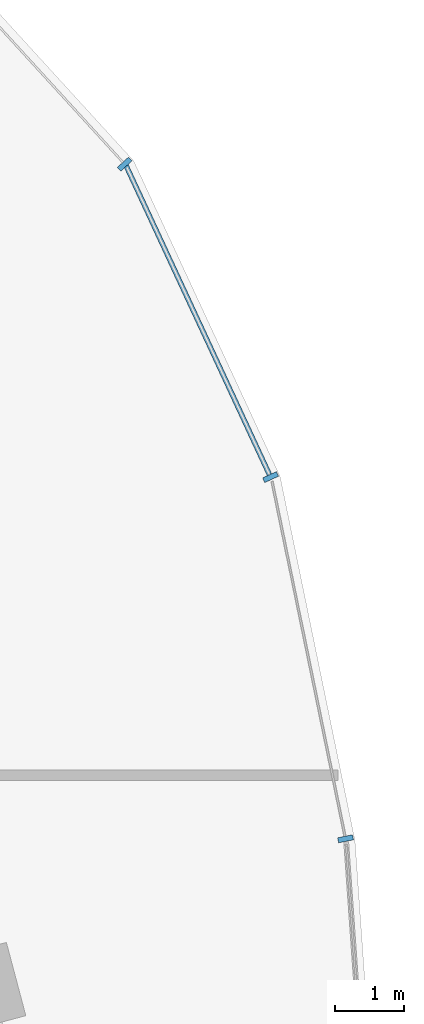
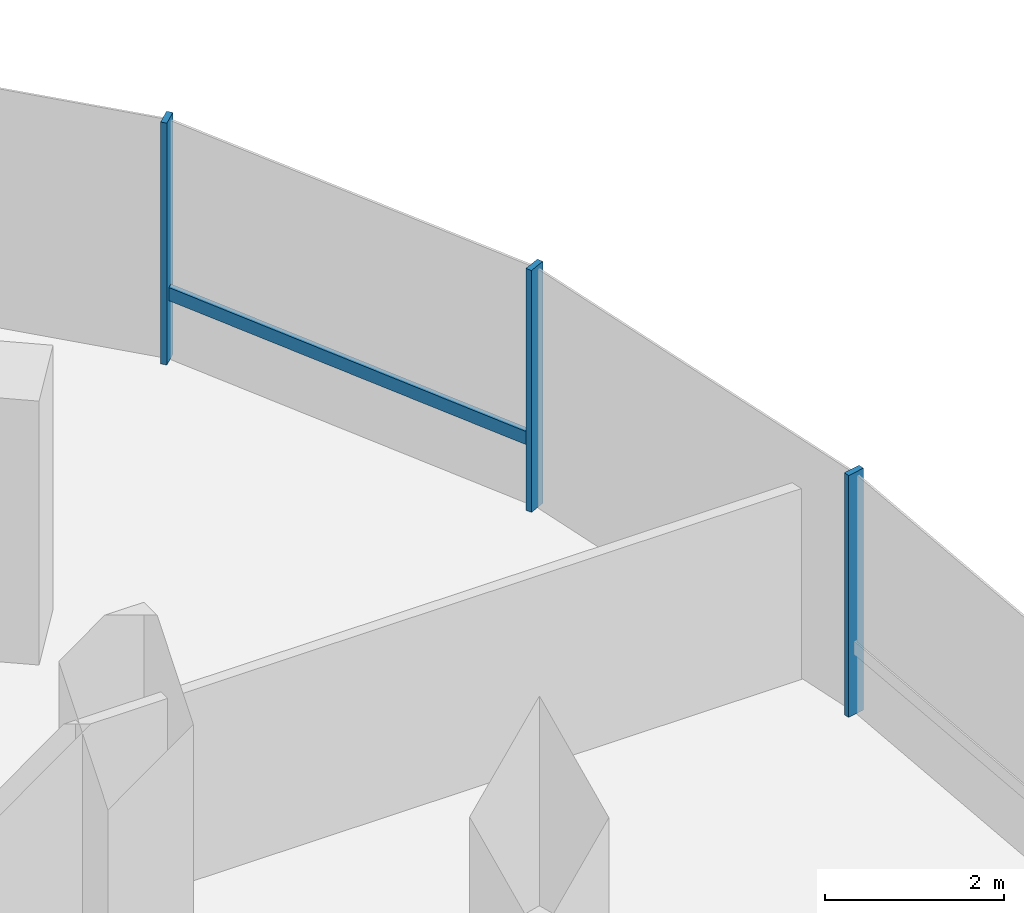
# One storey, part 8 of 21: 4 members, 1 element without a shape of its own.
"""IFC4 building model written with IfcOpenShell, lengths in metres."""

from ifc_helpers import new_model, si_unit, direction, frame, origin, origin_2d, place, context, subcontext, project, spatial, rectangle, extrude, material, material_profile, profile_set, type_object, element, aggregate, save


model = new_model("IFC4")

# Units and contexts
model_context = context("Model", 3, precision=1e-05, world=origin(), true_north=direction((0.0, 1.0)))
body_context = subcontext(model_context, "Body", "Model", "MODEL_VIEW")
ifc_project = project(units=[si_unit("LENGTHUNIT", "METRE"), si_unit("AREAUNIT", "SQUARE_METRE"), si_unit("VOLUMEUNIT", "CUBIC_METRE"), si_unit("PLANEANGLEUNIT", "RADIAN"), si_unit("MASSUNIT", "GRAM", prefix="KILO"), si_unit("THERMODYNAMICTEMPERATUREUNIT", "KELVIN"), si_unit("POWERUNIT", "WATT")], contexts=[model_context])

# Site, building, storey
site_placement = place(None, origin())
site = spatial("IfcSite", under=ifc_project, at=site_placement, CompositionType="ELEMENT")
building_placement = place(site_placement, origin())
building = spatial("IfcBuilding", under=site, at=building_placement, Name="Cundina Bronze Exchange", CompositionType="ELEMENT")
storey_placement = place(building_placement, frame((0.0, 0.0, 107.0)))
storey = spatial("IfcBuildingStorey", under=building, at=storey_placement, Name="L27", CompositionType="ELEMENT", Elevation=107.0)

# Curtain wall, members
ifc_material = material(Name="Anodised Bronze Aluminium 6063-T6", Category="aluminium")
curtain_wall_type = type_object("IfcCurtainWallType", Name="CWS-TRD-MID", PredefinedType="NOTDEFINED", material=ifc_material)
curtain_wall_placement = place(storey_placement, origin())
curtain_wall = element("IfcCurtainWall", 1, at=curtain_wall_placement, inside=storey, type_object=curtain_wall_type, Name="L27 CW-03 Curtain Wall Run CWR-L27-E1", PredefinedType="NOTDEFINED")
ifc_material_profile_1 = material_profile(ifc_material, rectangle(XDim=0.074951171875, YDim=0.219970703125, at=origin_2d()), Name="AL75X220", Category="aluminium")
ifc_profile_set_1 = profile_set([ifc_material_profile_1], Name="Anodised Bronze Aluminium 6063-T6")
member_type_1 = type_object("IfcMemberType", Name="CWM-MUL-220", PredefinedType="MULLION", material=ifc_profile_set_1)
member_1_placement = place(storey_placement, frame((50.717041015625, 8.67822265625, 0.0), z_axis=(0.0, 0.0, 1.0), x_axis=(-0.201419845156, 0.979505000486, 0.0)))
member_1 = element("IfcMember", 2, at=member_1_placement, type_object=member_type_1, Name="CW-03 Mullion 2", PredefinedType="MULLION", context=body_context, shape_type="SweptSolid", body=[
    extrude(rectangle(XDim=0.074951171875, YDim=0.219970703125, at=origin_2d()), origin(), (0.0, 0.0, 1.0), 3.300048828125),
])
member_2_placement = place(storey_placement, frame((49.6279296875, 13.931884765625, 0.0), z_axis=(0.0, 0.0, 1.0), x_axis=(-0.42087749791, 0.907117485088, 0.0)))
member_2 = element("IfcMember", 3, at=member_2_placement, type_object=member_type_1, Name="CW-03 Mullion 3", PredefinedType="MULLION", context=body_context, shape_type="SweptSolid", body=[
    extrude(rectangle(XDim=0.074951171875, YDim=0.219970703125, at=origin_2d()), origin(), (0.0, 0.0, 1.0), 3.300048828125),
])
member_3_placement = place(storey_placement, frame((47.508544921875, 18.47705078125, 0.0), z_axis=(0.0, 0.0, 1.0), x_axis=(-0.674302387584, 0.738455340626, 0.0)))
member_3 = element("IfcMember", 4, at=member_3_placement, type_object=member_type_1, Name="CW-03 Mullion 4", PredefinedType="MULLION", context=body_context, shape_type="SweptSolid", body=[
    extrude(rectangle(XDim=0.074951171875, YDim=0.219970703125, at=origin_2d()), origin(), (0.0, 0.0, 1.0), 3.300048828125),
])
ifc_material_profile_2 = material_profile(ifc_material, rectangle(XDim=0.070068359375, YDim=0.179931640625, at=origin_2d()), Name="AL70X180", Category="aluminium")
ifc_profile_set_2 = profile_set([ifc_material_profile_2], Name="Anodised Bronze Aluminium 6063-T6")
member_type_2 = type_object("IfcMemberType", Name="CWM-TRN-180", PredefinedType="USERDEFINED", material=ifc_profile_set_2)
member_4_placement = place(storey_placement, frame((49.610595703125, 13.96923828125, 0.919921875), z_axis=(-0.420811422796, 0.907148139195, 0.0), x_axis=(-0.907148139195, -0.420811422796, 0.0)))
member_4 = element("IfcMember", 5, at=member_4_placement, type_object=member_type_2, Name="CW-03 Spandrel Transom 3", ObjectType="TRANSOM", PredefinedType="USERDEFINED", context=body_context, shape_type="SweptSolid", body=[
    extrude(rectangle(XDim=0.070068359375, YDim=0.179931640625, at=origin_2d()), origin(), (0.0, 0.0, 1.0), 4.95166015625),
])
aggregate(curtain_wall, [member_1, member_2, member_4, member_3])

save(model, "model.ifc")
